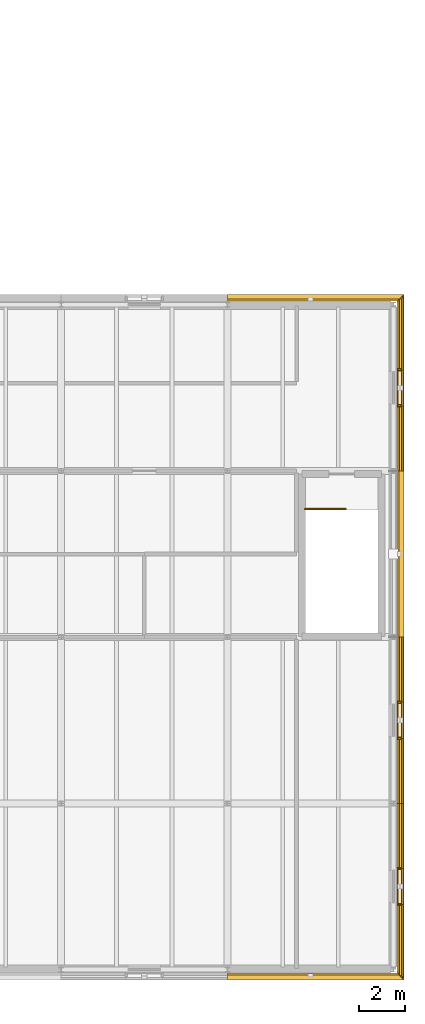
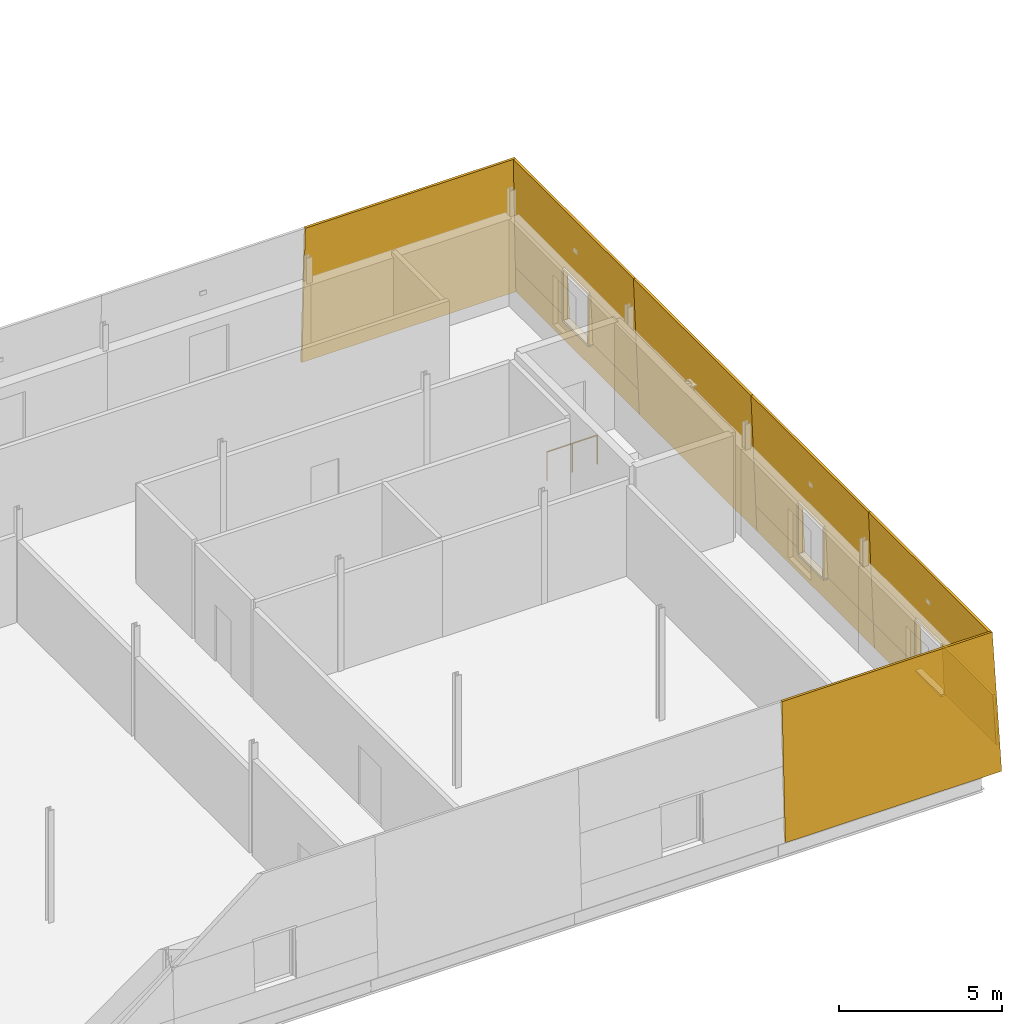
# One storey, part 91 of 91: 27 coverings, 1 railing.
"""IFC4 building model written with IfcOpenShell, lengths in metres."""

from ifc_helpers import new_model, si_unit, direction, frame, origin, origin_2d, place, context, subcontext, project, spatial, polyline, circle, outline, extrude, material, layer, layer_set, type_object, element, save


model = new_model("IFC4")

# Units and contexts
model_context = context("Model", 3, precision=1e-05, world=origin(), true_north=direction((0.0, 1.0)))
body_context = subcontext(model_context, "Body", "Model", "MODEL_VIEW")
ifc_project = project(units=[si_unit("LENGTHUNIT", "METRE"), si_unit("AREAUNIT", "SQUARE_METRE"), si_unit("VOLUMEUNIT", "CUBIC_METRE"), si_unit("PLANEANGLEUNIT", "RADIAN"), si_unit("MASSUNIT", "GRAM", prefix="KILO")], contexts=[model_context])

# Site, building, storey
site_placement = place(None, origin())
site = spatial("IfcSite", under=ifc_project, at=site_placement, CompositionType="ELEMENT")
building_placement = place(site_placement, origin())
building = spatial("IfcBuilding", under=site, at=building_placement, Name="Narikvali Park Central Library", CompositionType="ELEMENT")
storey_placement = place(building_placement, frame((0.0, 0.0, 14.39990234375)))
storey = spatial("IfcBuildingStorey", under=building, at=storey_placement, Name="L03", CompositionType="ELEMENT", Elevation=14.39990234375)

# Coverings
ifc_material_1 = material(Name="White Honed Limestone Cladding", Category="masonry")
ifc_layer_1 = layer(ifc_material_1, 0.0849609375, Name="White Honed Limestone Cladding")
ifc_layer_set_1 = layer_set([ifc_layer_1], Name="White Honed Limestone Cladding")
covering_type_1 = type_object("IfcCoveringType", Name="Battered White Limestone Facade Cladding Panel", PredefinedType="CLADDING", material=ifc_layer_set_1)
covering_1_placement = place(storey_placement, frame((158.39990234375, -0.45068359375, 0.0), z_axis=(0.0, -0.999164228006, 0.040875976713), x_axis=(1.0, 0.0, 0.0)))
element("IfcCovering", 1, at=covering_1_placement, inside=storey, type_object=covering_type_1, Name="V6 L03 S Battered Limestone Panel B06", PredefinedType="CLADDING", context=body_context, shape_type="SweptSolid", body=[
    extrude(outline(polyline([(0.0, 0.0), (7.65087890625, 0.0), (7.440185546875, 5.154454433032161), (0.0, 5.154454433032161), (0.0, 0.0)])), origin(), (0.0, 0.0, -1.0), 0.0849609375),
])
covering_2_placement = place(storey_placement, frame((166.05078125, -0.36572265625, 0.0), z_axis=(0.999166557991, 0.0, 0.040818983227), x_axis=(0.0, 1.0, 0.0)))
element("IfcCovering", 2, at=covering_2_placement, inside=storey, type_object=covering_type_1, Name="V6 L03 E Battered Limestone Spandrel B01", PredefinedType="CLADDING", context=body_context, shape_type="SweptSolid", body=[
    extrude(outline(polyline([(0.0, 0.0), (7.565673828125, 0.0), (7.565673828125, 0.9509879057703832), (0.038818359375, 0.9509879057703832), (0.0, 0.0)])), origin(), (0.0, 0.0, -1.0), 0.0849609375),
])
covering_3_placement = place(storey_placement, frame((165.936279296875, -0.251220703125, 2.800048828125), z_axis=(0.999163385357, 0.0, 0.040896569066), x_axis=(0.0, 1.0, 0.0)))
element("IfcCovering", 3, at=covering_3_placement, inside=storey, type_object=covering_type_1, Name="V6 L03 E Battered Limestone Lintel B01", PredefinedType="CLADDING", context=body_context, shape_type="SweptSolid", body=[
    extrude(outline(polyline([(0.0, 0.0), (7.451171875, 0.0), (7.451171875, 2.352065428628229), (0.09619140625, 2.352065428628229), (0.0, 0.0)])), origin(), (0.0, 0.0, -1.0), 0.0849609375),
])
covering_4_placement = place(storey_placement, frame((166.011962890625, -0.326904296875, 0.9501953125), z_axis=(0.999164100603, 0.0, 0.040879090826), x_axis=(0.0, 1.0, 0.0)))
element("IfcCovering", 4, at=covering_4_placement, inside=storey, type_object=covering_type_1, Name="V6 L03 E Battered Limestone Jamb Pier L B01", PredefinedType="CLADDING", context=body_context, shape_type="SweptSolid", body=[
    extrude(outline(polyline([(0.0, 0.0), (3.18701171875, 0.0), (3.18701171875, 1.8514011006891746), (0.07568359375, 1.8514011006891746), (0.0, 0.0)])), origin(), (0.0, 0.0, -1.0), 0.0849609375),
])
covering_5_placement = place(storey_placement, frame((166.011962890625, 4.340087890625, 0.9501953125), z_axis=(0.999164100603, 0.0, 0.040879090826), x_axis=(0.0, 1.0, 0.0)))
element("IfcCovering", 5, at=covering_5_placement, inside=storey, type_object=covering_type_1, Name="V6 L03 E Battered Limestone Jamb Pier R B01", PredefinedType="CLADDING", context=body_context, shape_type="SweptSolid", body=[
    extrude(outline(polyline([(0.0, 0.0), (2.85986328125, 0.0), (2.85986328125, 1.8514011006891746), (0.0, 1.8514011006891746), (0.0, 0.0)])), origin(), (0.0, 0.0, -1.0), 0.0849609375),
])
covering_6_placement = place(storey_placement, frame((166.05078125, 7.199951171875, 0.0), z_axis=(0.999166557991, 0.0, 0.040818983227), x_axis=(0.0, 1.0, 0.0)))
element("IfcCovering", 6, at=covering_6_placement, inside=storey, type_object=covering_type_1, Name="V6 L03 E Battered Limestone Spandrel B02", PredefinedType="CLADDING", context=body_context, shape_type="SweptSolid", body=[
    extrude(outline(polyline([(0.0, 0.0), (7.199951171875, 0.0), (7.199951171875, 0.9509879057703833), (0.0, 0.9509879057703833), (0.0, 0.0)])), origin(), (0.0, 0.0, -1.0), 0.0849609375),
])
covering_7_placement = place(storey_placement, frame((165.936279296875, 7.199951171875, 2.800048828125), z_axis=(0.999163385357, 0.0, 0.040896569066), x_axis=(0.0, 1.0, 0.0)))
element("IfcCovering", 7, at=covering_7_placement, inside=storey, type_object=covering_type_1, Name="V6 L03 E Battered Limestone Lintel B02", PredefinedType="CLADDING", context=body_context, shape_type="SweptSolid", body=[
    extrude(outline(polyline([(0.0, 0.0), (7.199951171875, 0.0), (7.199951171875, 2.352065428628229), (0.0, 2.352065428628229), (0.0, 0.0)])), origin(), (0.0, 0.0, -1.0), 0.0849609375),
])
covering_8_placement = place(storey_placement, frame((166.011962890625, 7.199951171875, 0.9501953125), z_axis=(0.999164100603, 0.0, 0.040879090826), x_axis=(0.0, 1.0, 0.0)))
element("IfcCovering", 8, at=covering_8_placement, inside=storey, type_object=covering_type_1, Name="V6 L03 E Battered Limestone Jamb Pier L B02", PredefinedType="CLADDING", context=body_context, shape_type="SweptSolid", body=[
    extrude(outline(polyline([(0.0, 0.0), (2.860107421875, 0.0), (2.860107421875, 1.8514011006891744), (0.0, 1.8514011006891744), (0.0, 0.0)])), origin(), (0.0, 0.0, -1.0), 0.0849609375),
])
covering_9_placement = place(storey_placement, frame((166.011962890625, 11.5400390625, 0.9501953125), z_axis=(0.999164100603, 0.0, 0.040879090826), x_axis=(0.0, 1.0, 0.0)))
element("IfcCovering", 9, at=covering_9_placement, inside=storey, type_object=covering_type_1, Name="V6 L03 E Battered Limestone Jamb Pier R B02", PredefinedType="CLADDING", context=body_context, shape_type="SweptSolid", body=[
    extrude(outline(polyline([(0.0, 0.0), (2.85986328125, 0.0), (2.85986328125, 1.8514011006891746), (0.0, 1.8514011006891746), (0.0, 0.0)])), origin(), (0.0, 0.0, -1.0), 0.0849609375),
])
covering_10_placement = place(storey_placement, frame((166.05078125, 14.39990234375, 0.0), z_axis=(0.999164228006, 0.0, 0.040875976713), x_axis=(0.0, 1.0, 0.0)))
element("IfcCovering", 10, at=covering_10_placement, inside=storey, type_object=covering_type_1, Name="V6 L03 E Battered Limestone Panel B03", PredefinedType="CLADDING", context=body_context, shape_type="SweptSolid", body=[
    extrude(outline(polyline([(0.0, 0.0), (7.2001953125, 0.0), (7.2001953125, 5.154454433032161), (0.0, 5.154454433032161), (0.0, 0.0)])), origin(), (0.0, 0.0, -1.0), 0.0849609375),
])
covering_11_placement = place(storey_placement, frame((166.05078125, 21.60009765625, 0.0), z_axis=(0.999166557991, 0.0, 0.040818983227), x_axis=(0.0, 1.0, 0.0)))
element("IfcCovering", 11, at=covering_11_placement, inside=storey, type_object=covering_type_1, Name="V6 L03 E Battered Limestone Spandrel B04", PredefinedType="CLADDING", context=body_context, shape_type="SweptSolid", body=[
    extrude(outline(polyline([(0.0, 0.0), (7.565673828125, 0.0), (7.52685546875, 0.9509879057703832), (0.0, 0.9509879057703832), (0.0, 0.0)])), origin(), (0.0, 0.0, -1.0), 0.0849609375),
])
covering_12_placement = place(storey_placement, frame((165.936279296875, 21.60009765625, 2.800048828125), z_axis=(0.999163385357, 0.0, 0.040896569066), x_axis=(0.0, 1.0, 0.0)))
element("IfcCovering", 12, at=covering_12_placement, inside=storey, type_object=covering_type_1, Name="V6 L03 E Battered Limestone Lintel B04", PredefinedType="CLADDING", context=body_context, shape_type="SweptSolid", body=[
    extrude(outline(polyline([(0.0, 0.0), (7.451171875, 0.0), (7.35498046875, 2.352065428628229), (0.0, 2.352065428628229), (0.0, 0.0)])), origin(), (0.0, 0.0, -1.0), 0.0849609375),
])
covering_13_placement = place(storey_placement, frame((166.011962890625, 21.60009765625, 0.9501953125), z_axis=(0.999164100603, 0.0, 0.040879090826), x_axis=(0.0, 1.0, 0.0)))
element("IfcCovering", 13, at=covering_13_placement, inside=storey, type_object=covering_type_1, Name="V6 L03 E Battered Limestone Jamb Pier L B04", PredefinedType="CLADDING", context=body_context, shape_type="SweptSolid", body=[
    extrude(outline(polyline([(0.0, 0.0), (2.85986328125, 0.0), (2.85986328125, 1.8514011006891746), (0.0, 1.8514011006891746), (0.0, 0.0)])), origin(), (0.0, 0.0, -1.0), 0.0849609375),
])
covering_14_placement = place(storey_placement, frame((166.011962890625, 25.93994140625, 0.9501953125), z_axis=(0.999164100603, 0.0, 0.040879090826), x_axis=(0.0, 1.0, 0.0)))
element("IfcCovering", 14, at=covering_14_placement, inside=storey, type_object=covering_type_1, Name="V6 L03 E Battered Limestone Jamb Pier R B04", PredefinedType="CLADDING", context=body_context, shape_type="SweptSolid", body=[
    extrude(outline(polyline([(0.0, 0.0), (3.18701171875, 0.0), (3.111328125, 1.8514011006891746), (0.0, 1.8514011006891746), (0.0, 0.0)])), origin(), (0.0, 0.0, -1.0), 0.0849609375),
])
covering_15_placement = place(storey_placement, frame((166.05078125, 29.250732421875, 0.0), z_axis=(0.0, 0.999164228006, 0.040875976713), x_axis=(-1.0, 0.0, 0.0)))
element("IfcCovering", 15, at=covering_15_placement, inside=storey, type_object=covering_type_1, Name="V6 L03 N Battered Limestone Panel B01", PredefinedType="CLADDING", context=body_context, shape_type="SweptSolid", body=[
    extrude(outline(polyline([(0.0, 0.0), (7.65087890625, 0.0), (7.65087890625, 5.154454433032161), (0.210693359375, 5.154454433032161), (0.0, 0.0)])), origin(), (0.0, 0.0, -1.0), 0.0849609375),
])
ifc_layer_2 = layer(ifc_material_1, 0.080078125, Name="White Honed Limestone Cladding")
ifc_layer_set_2 = layer_set([ifc_layer_2], Name="White Honed Limestone Cladding")
covering_type_2 = type_object("IfcCoveringType", Name="Deep Carved White Limestone Window Reveal", PredefinedType="CLADDING", material=ifc_layer_set_2)
covering_16_placement = place(storey_placement, frame((0.0, 0.0, 2.800048828125)))
element("IfcCovering", 16, at=covering_16_placement, inside=storey, type_object=covering_type_2, Name="Deep Stone Reveal Head V6-RVL-L03-E-B01", PredefinedType="CLADDING", context=body_context, shape_type="SweptSolid", body=[
    extrude(outline(polyline([(165.784912109375, 2.820068359375), (165.784912109375, 4.3798828125), (165.936279296875, 4.3798828125), (165.936279296875, 2.820068359375), (165.784912109375, 2.820068359375)])), origin(), (0.0, 0.0, 1.0), 0.080078125),
])
covering_17_placement = place(storey_placement, frame((0.0, 0.0, 0.8701171875)))
element("IfcCovering", 17, at=covering_17_placement, inside=storey, type_object=covering_type_2, Name="Deep Stone Reveal Sill V6-RVL-L03-E-B01", PredefinedType="CLADDING", context=body_context, shape_type="SweptSolid", body=[
    extrude(outline(polyline([(165.784912109375, 2.820068359375), (165.784912109375, 4.3798828125), (166.011962890625, 4.3798828125), (166.011962890625, 2.820068359375), (165.784912109375, 2.820068359375)])), origin(), (0.0, 0.0, 1.0), 0.080078125),
])
covering_18_placement = place(storey_placement, frame((0.0, 0.0, 0.9501953125)))
element("IfcCovering", 18, at=covering_18_placement, inside=storey, type_object=covering_type_2, Name="Deep Stone Reveal Jamb L V6-RVL-L03-E-B01", PredefinedType="CLADDING", context=body_context, shape_type="SweptSolid", body=[
    extrude(outline(polyline([(165.784912109375, 2.780029296875), (165.784912109375, 2.860107421875), (165.936279296875, 2.860107421875), (165.936279296875, 2.780029296875), (165.784912109375, 2.780029296875)])), origin(), (0.0, 0.0, 1.0), 1.849853515625),
])
covering_19_placement = place(storey_placement, frame((0.0, 0.0, 0.9501953125)))
element("IfcCovering", 19, at=covering_19_placement, inside=storey, type_object=covering_type_2, Name="Deep Stone Reveal Jamb R V6-RVL-L03-E-B01", PredefinedType="CLADDING", context=body_context, shape_type="SweptSolid", body=[
    extrude(outline(polyline([(165.784912109375, 4.340087890625), (165.784912109375, 4.419921875), (165.936279296875, 4.419921875), (165.936279296875, 4.340087890625), (165.784912109375, 4.340087890625)])), origin(), (0.0, 0.0, 1.0), 1.849853515625),
])
covering_20_placement = place(storey_placement, frame((0.0, 0.0, 2.800048828125)))
element("IfcCovering", 20, at=covering_20_placement, inside=storey, type_object=covering_type_2, Name="Deep Stone Reveal Head V6-RVL-L03-E-B02", PredefinedType="CLADDING", context=body_context, shape_type="SweptSolid", body=[
    extrude(outline(polyline([(165.784912109375, 10.02001953125), (165.784912109375, 11.580078125), (165.936279296875, 11.580078125), (165.936279296875, 10.02001953125), (165.784912109375, 10.02001953125)])), origin(), (0.0, 0.0, 1.0), 0.080078125),
])
covering_21_placement = place(storey_placement, frame((0.0, 0.0, 0.8701171875)))
element("IfcCovering", 21, at=covering_21_placement, inside=storey, type_object=covering_type_2, Name="Deep Stone Reveal Sill V6-RVL-L03-E-B02", PredefinedType="CLADDING", context=body_context, shape_type="SweptSolid", body=[
    extrude(outline(polyline([(165.784912109375, 10.02001953125), (165.784912109375, 11.580078125), (166.011962890625, 11.580078125), (166.011962890625, 10.02001953125), (165.784912109375, 10.02001953125)])), origin(), (0.0, 0.0, 1.0), 0.080078125),
])
covering_22_placement = place(storey_placement, frame((0.0, 0.0, 0.9501953125)))
element("IfcCovering", 22, at=covering_22_placement, inside=storey, type_object=covering_type_2, Name="Deep Stone Reveal Jamb L V6-RVL-L03-E-B02", PredefinedType="CLADDING", context=body_context, shape_type="SweptSolid", body=[
    extrude(outline(polyline([(165.784912109375, 9.97998046875), (165.784912109375, 10.06005859375), (165.936279296875, 10.06005859375), (165.936279296875, 9.97998046875), (165.784912109375, 9.97998046875)])), origin(), (0.0, 0.0, 1.0), 1.849853515625),
])
covering_23_placement = place(storey_placement, frame((0.0, 0.0, 0.9501953125)))
element("IfcCovering", 23, at=covering_23_placement, inside=storey, type_object=covering_type_2, Name="Deep Stone Reveal Jamb R V6-RVL-L03-E-B02", PredefinedType="CLADDING", context=body_context, shape_type="SweptSolid", body=[
    extrude(outline(polyline([(165.784912109375, 11.5400390625), (165.784912109375, 11.6201171875), (165.936279296875, 11.6201171875), (165.936279296875, 11.5400390625), (165.784912109375, 11.5400390625)])), origin(), (0.0, 0.0, 1.0), 1.849853515625),
])
covering_24_placement = place(storey_placement, frame((0.0, 0.0, 2.800048828125)))
element("IfcCovering", 24, at=covering_24_placement, inside=storey, type_object=covering_type_2, Name="Deep Stone Reveal Head V6-RVL-L03-E-B04", PredefinedType="CLADDING", context=body_context, shape_type="SweptSolid", body=[
    extrude(outline(polyline([(165.784912109375, 24.419921875), (165.784912109375, 25.97998046875), (165.936279296875, 25.97998046875), (165.936279296875, 24.419921875), (165.784912109375, 24.419921875)])), origin(), (0.0, 0.0, 1.0), 0.080078125),
])
covering_25_placement = place(storey_placement, frame((0.0, 0.0, 0.8701171875)))
element("IfcCovering", 25, at=covering_25_placement, inside=storey, type_object=covering_type_2, Name="Deep Stone Reveal Sill V6-RVL-L03-E-B04", PredefinedType="CLADDING", context=body_context, shape_type="SweptSolid", body=[
    extrude(outline(polyline([(165.784912109375, 24.419921875), (165.784912109375, 25.97998046875), (166.011962890625, 25.97998046875), (166.011962890625, 24.419921875), (165.784912109375, 24.419921875)])), origin(), (0.0, 0.0, 1.0), 0.080078125),
])
covering_26_placement = place(storey_placement, frame((0.0, 0.0, 0.9501953125)))
element("IfcCovering", 26, at=covering_26_placement, inside=storey, type_object=covering_type_2, Name="Deep Stone Reveal Jamb L V6-RVL-L03-E-B04", PredefinedType="CLADDING", context=body_context, shape_type="SweptSolid", body=[
    extrude(outline(polyline([(165.784912109375, 24.3798828125), (165.784912109375, 24.4599609375), (165.936279296875, 24.4599609375), (165.936279296875, 24.3798828125), (165.784912109375, 24.3798828125)])), origin(), (0.0, 0.0, 1.0), 1.849853515625),
])
covering_27_placement = place(storey_placement, frame((0.0, 0.0, 0.9501953125)))
element("IfcCovering", 27, at=covering_27_placement, inside=storey, type_object=covering_type_2, Name="Deep Stone Reveal Jamb R V6-RVL-L03-E-B04", PredefinedType="CLADDING", context=body_context, shape_type="SweptSolid", body=[
    extrude(outline(polyline([(165.784912109375, 25.93994140625), (165.784912109375, 26.02001953125), (165.936279296875, 26.02001953125), (165.936279296875, 25.93994140625), (165.784912109375, 25.93994140625)])), origin(), (0.0, 0.0, 1.0), 1.849853515625),
])

# Railing
ifc_material_2 = material(Name="Powder-Coated Steel S275", Category="steel")
ifc_layer_3 = layer(ifc_material_2, 0.050048828125, Name="Powder-Coated Steel S275")
ifc_layer_set_3 = layer_set([ifc_layer_3], Name="Powder-Coated Steel S275")
railing_type = type_object("IfcRailingType", Name="Stair Well Steel Guardrail 1100", PredefinedType="GUARDRAIL", material=ifc_layer_set_3)
railing_placement = place(storey_placement, frame((161.75, 19.949951171875, 0.0)))
element("IfcRailing", 28, at=railing_placement, inside=storey, type_object=railing_type, Name="L03 ST-12 top well guard 1", PredefinedType="GUARDRAIL", context=body_context, shape_type="SweptSolid", body=[
    extrude(circle(Radius=0.02392578125, at=origin_2d()), frame((0.0, 0.0, 1.076171875), z_axis=(1.0, 0.0, 0.0), x_axis=(0.0, 1.0, 0.0)), (0.0, 0.0, 1.0), 1.780029296875),
    extrude(circle(Radius=0.02099609375, at=origin_2d()), origin(), (0.0, 0.0, 1.0), 1.052001953125),
    extrude(circle(Radius=0.02099609375, at=origin_2d()), frame((0.89013671875, 0.0, 0.0)), (0.0, 0.0, 1.0), 1.052001953125),
    extrude(circle(Radius=0.02099609375, at=origin_2d()), frame((1.780029296875, 0.0, 0.0)), (0.0, 0.0, 1.0), 1.052001953125),
])

save(model, "model.ifc")
